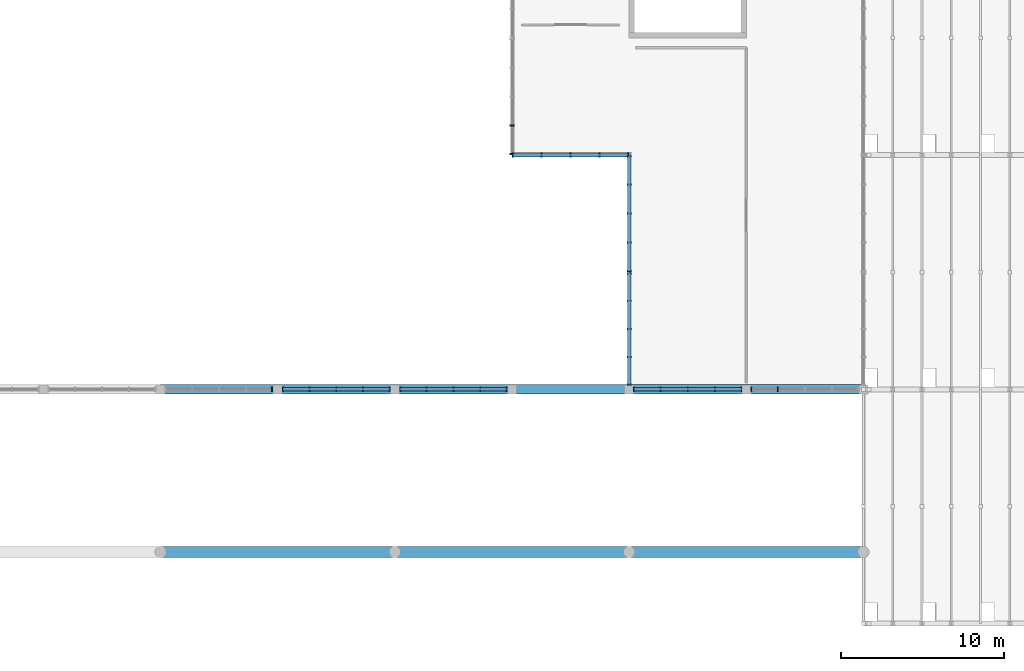
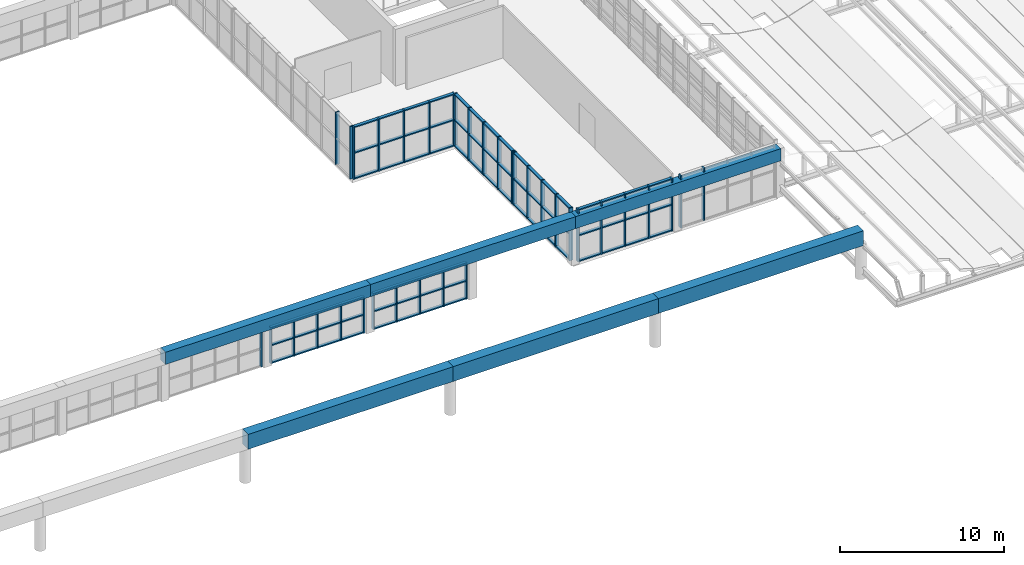
# One storey, part 12 of 83: 53 members, 6 beams, 9 elements without a shape of their own.
"""IFC4 building model written with IfcOpenShell, lengths in metres."""

import ifcopenshell
import ifcopenshell.guid

model = None  # the IFC model being written
_history = None  # IfcOwnerHistory: only IFC2X3 demands one
_inside = {}  # id of a spatial element -> (the spatial element, [elements in it])
_under = {}  # id of a project, library or spatial element -> (it, [spatial elements below it])
_declared = {}  # id of a project -> (the project, [libraries it declares])
_typed = {}  # id of a type object -> (the type object, [elements of that type])
_made_of = {}  # id of a material, layer set ... -> (it, [elements and type objects made of it])


def new_model(schema):
    """Start an empty IFC model of exactly this schema.

    Asked for "IFC4X3", IfcOpenShell would pick the latest addendum, in which some entities
    have other attributes; the version numbers below select the first issue.
    IFC2X3 requires an IfcOwnerHistory on every rooted entity: one is made here for all.
    """
    global model, _history
    if schema == "IFC4X3":
        model = ifcopenshell.file(schema_version=(4, 3, 0, 0))
    else:
        model = ifcopenshell.file(schema=schema)
    _inside.clear()
    _under.clear()
    _declared.clear()
    _typed.clear()
    _made_of.clear()
    _history = None
    if model.schema == "IFC2X3":
        org = make("IfcOrganization", Name="unknown")
        user = make(
            "IfcPersonAndOrganization",
            ThePerson=make("IfcPerson", FamilyName="unknown"),
            TheOrganization=org,
        )
        app = make(
            "IfcApplication",
            ApplicationDeveloper=org,
            Version="unknown",
            ApplicationFullName="unknown",
            ApplicationIdentifier="unknown",
        )
        _history = make(
            "IfcOwnerHistory",
            OwningUser=user,
            OwningApplication=app,
            ChangeAction="ADDED",
            CreationDate=0,
        )
    return model


def make(cls, **values):
    """One entity of the class cls with the attributes given. An attribute that is None is left unset."""
    return model.create_entity(
        cls, **{name: value for name, value in values.items() if value is not None}
    )


def rooted(cls, **values):
    """An entity with a GlobalId (a new one), such as an element, a storey or a relation."""
    return make(cls, GlobalId=ifcopenshell.guid.new(), OwnerHistory=_history, **values)


def si_unit(unit_type, name, prefix=None):
    """IfcSIUnit, for example si_unit("LENGTHUNIT", "METRE", prefix="MILLI")."""
    return make("IfcSIUnit", UnitType=unit_type, Prefix=prefix, Name=name)


def assignment(units):
    """IfcUnitAssignment: the units of a project."""
    return None if units is None else make("IfcUnitAssignment", Units=units)


def point(xyz):
    """IfcCartesianPoint."""
    return None if xyz is None else make("IfcCartesianPoint", Coordinates=xyz)


def direction(xyz):
    """IfcDirection."""
    return None if xyz is None else make("IfcDirection", DirectionRatios=xyz)


def frame(location, z_axis=None, x_axis=None):
    """IfcAxis2Placement3D, a coordinate frame: its origin and axes. An axis left out is left unset."""
    return make(
        "IfcAxis2Placement3D",
        Location=point(location),
        Axis=direction(z_axis),
        RefDirection=direction(x_axis),
    )


def frame_2d(location, x_axis=None):
    """IfcAxis2Placement2D, a coordinate frame in the plane: its origin and x axis."""
    return make(
        "IfcAxis2Placement2D", Location=point(location), RefDirection=direction(x_axis)
    )


def origin():
    """The frame at (0, 0, 0) with its axes left unset."""
    return frame((0.0, 0.0, 0.0))


def origin_2d():
    """The frame at (0, 0) in the plane with its x axis left unset."""
    return frame_2d((0.0, 0.0))


def place(relative_to, where):
    """IfcLocalPlacement: puts the frame where relative to a parent placement (None: the world)."""
    return make(
        "IfcLocalPlacement", PlacementRelTo=relative_to, RelativePlacement=where
    )


def context(
    kind, dimensions, precision=None, world=None, true_north=None, identifier=None
):
    """IfcGeometricRepresentationContext, for example the 3D "Model" context."""
    return make(
        "IfcGeometricRepresentationContext",
        ContextIdentifier=identifier,
        ContextType=kind,
        CoordinateSpaceDimension=dimensions,
        Precision=precision,
        WorldCoordinateSystem=world,
        TrueNorth=true_north,
    )


def subcontext(parent, identifier, kind, view, scale=None):
    """IfcGeometricRepresentationSubContext, for example "Body" below "Model"."""
    return make(
        "IfcGeometricRepresentationSubContext",
        ContextIdentifier=identifier,
        ContextType=kind,
        ParentContext=parent,
        TargetScale=scale,
        TargetView=view,
    )


def project(units=None, contexts=None):
    """IfcProject with its units and contexts."""
    return rooted(
        "IfcProject",
        Name="project",
        RepresentationContexts=contexts,
        UnitsInContext=assignment(units),
    )


def spatial(cls, under=None, at=None, **own):
    """A site, building, storey or space (cls), placed at a placement, below another one or the project."""
    s = rooted(cls, ObjectPlacement=at, **own)
    if under is not None:
        _under.setdefault(under.id(), (under, []))[1].append(s)
    return s


def profile(cls, at=None, kind="AREA", **sizes):
    """A parametric profile (cls). Its sizes go by their IFC names, for example OverallWidth=200.0."""
    return make(cls, ProfileType=kind, Position=at, **sizes)


def rectangle(**sizes):
    """IfcRectangleProfileDef."""
    return profile("IfcRectangleProfileDef", **sizes)


def extrude(swept, where, along, depth):
    """IfcExtrudedAreaSolid: the profile swept, set in the frame where, extruded along a direction by depth."""
    return make(
        "IfcExtrudedAreaSolid",
        SweptArea=swept,
        Position=where,
        ExtrudedDirection=direction(along),
        Depth=depth,
    )


def shape(context_of_items, identifier, shape_type, items):
    """IfcShapeRepresentation: the items that make up one representation, for example the "Body"."""
    return make(
        "IfcShapeRepresentation",
        ContextOfItems=context_of_items,
        RepresentationIdentifier=identifier,
        RepresentationType=shape_type,
        Items=items,
    )


def material(Name=None, Category=None):
    """IfcMaterial."""
    return make("IfcMaterial", Name=Name, Category=Category)


def material_profile(
    of_material, cross_section, Name=None, Category=None, Priority=None
):
    """IfcMaterialProfile: a cross section and its material."""
    return make(
        "IfcMaterialProfile",
        Name=Name,
        Material=of_material,
        Profile=cross_section,
        Priority=Priority,
        Category=Category,
    )


def profile_set(profiles, Name=None, composite=None):
    """IfcMaterialProfileSet."""
    return make(
        "IfcMaterialProfileSet",
        Name=Name,
        MaterialProfiles=profiles,
        CompositeProfile=composite,
    )


def made_of(thing, what):
    """Note that an element or type object is made of a material, layer set ...; save() writes the relation."""
    if what is not None:
        _made_of.setdefault(what.id(), (what, []))[1].append(thing)
    return thing


def type_object(cls, material=None, **own):
    """A type object (cls), such as IfcWallType, which elements share."""
    return made_of(rooted(cls, **own), material)


def element(
    cls,
    number,
    at=None,
    inside=None,
    cuts=None,
    type_object=None,
    material=None,
    context=None,
    identifier="Body",
    shape_type=None,
    held_by="IfcProductDefinitionShape",
    body=None,
    shapes=None,
    **own,
):
    """One element of the class cls, such as IfcWall. Its Tag is "e" and its number.

    at: its placement. inside: the storey or other place that contains it. cuts: it is an
    opening in that element (IfcRelVoidsElement). A single representation is given by context,
    identifier, shape_type and body (its items); several are given by shapes. held_by: the class
    of the entity that holds the representations. save() writes the other relations.
    """
    e = rooted(cls, Tag="e%d" % number, ObjectPlacement=at, **own)
    if body is not None:
        shapes = [shape(context, identifier, shape_type, body)]
    if shapes is not None:
        e.Representation = make(held_by, Representations=shapes)
    if inside is not None:
        _inside.setdefault(inside.id(), (inside, []))[1].append(e)
    if cuts is not None:
        rooted(
            "IfcRelVoidsElement", RelatingBuildingElement=cuts, RelatedOpeningElement=e
        )
    if type_object is not None:
        _typed.setdefault(type_object.id(), (type_object, []))[1].append(e)
    return made_of(e, material)


def aggregate(whole, parts):
    """IfcRelAggregates: a whole, such as a stair, and the parts it consists of."""
    return rooted("IfcRelAggregates", RelatingObject=whole, RelatedObjects=parts)


def save(model, path):
    """Write the relations noted so far, then the file.

    IfcRelAggregates (storeys below a building ...), IfcRelContainedInSpatialStructure (elements
    in a storey), IfcRelDefinesByType, IfcRelAssociatesMaterial and IfcRelDeclares: one each for
    every whole, place, type object, material and project.
    """
    for whole, parts in _under.values():
        aggregate(whole, parts)
    for where, things in _inside.values():
        rooted(
            "IfcRelContainedInSpatialStructure",
            RelatedElements=things,
            RelatingStructure=where,
        )
    for kind, things in _typed.values():
        rooted("IfcRelDefinesByType", RelatedObjects=things, RelatingType=kind)
    for what, things in _made_of.values():
        rooted("IfcRelAssociatesMaterial", RelatedObjects=things, RelatingMaterial=what)
    for by, libraries in _declared.values():
        rooted("IfcRelDeclares", RelatingContext=by, RelatedDefinitions=libraries)
    model.write(path)


model = new_model("IFC4")

# Units and contexts
model_context = context("Model", 3, precision=1e-05, world=origin(), true_north=direction((0.0, 1.0)))
body_context = subcontext(model_context, "Body", "Model", "MODEL_VIEW")
ifc_project = project(units=[si_unit("LENGTHUNIT", "METRE"), si_unit("AREAUNIT", "SQUARE_METRE"), si_unit("VOLUMEUNIT", "CUBIC_METRE"), si_unit("PLANEANGLEUNIT", "RADIAN"), si_unit("MASSUNIT", "GRAM", prefix="KILO")], contexts=[model_context])

# Site, building, storey
site_placement = place(None, origin())
site = spatial("IfcSite", under=ifc_project, at=site_placement, CompositionType="ELEMENT")
building_placement = place(site_placement, origin())
building = spatial("IfcBuilding", under=site, at=building_placement, Name="Leyfeld Transit Interchange", CompositionType="ELEMENT")
storey_placement = place(building_placement, frame((0.0, 0.0, 5.39990234375)))
storey = spatial("IfcBuildingStorey", under=building, at=storey_placement, Name="L01", CompositionType="ELEMENT", Elevation=5.39990234375)

# Beams
ifc_material_1 = material(Name="Concrete C40/50", Category="concrete")
ifc_material_profile_1 = material_profile(ifc_material_1, rectangle(XDim=0.699951171875, YDim=1.10009765625, at=origin_2d()), Name="RC 1100x700")
ifc_profile_set_1 = profile_set([ifc_material_profile_1], Name="Concrete C40/50")
beam_type_1 = type_object("IfcBeamType", Name="BM-RC-1100x700", PredefinedType="SPANDREL", material=ifc_profile_set_1)
for number, where, z_axis, x_axis, name in (
    (1, (57.60009765625, 4.39990234375, 3.050048828125), (1.0, 0.0, 0.0), (0.0, 1.0, 0.0), "Concourse Vault Edge Beam S Bay 5"),
    (2, (72.0, 4.39990234375, 3.050048828125), (1.0, 0.0, 0.0), (0.0, 1.0, 0.0), "Concourse Vault Edge Beam S Bay 6"),
):
    element("IfcBeam", number, at=place(storey_placement, frame(where, z_axis=z_axis, x_axis=x_axis)), inside=storey, type_object=beam_type_1, Name=name, PredefinedType="SPANDREL", context=body_context, shape_type="SweptSolid", body=[
        extrude(rectangle(XDim=0.699951171875, YDim=1.10009765625, at=origin_2d()), origin(), (0.0, 0.0, 1.0), 14.39990234375),
    ])
beam_1_placement = place(storey_placement, frame((86.39990234375, 4.39990234375, 3.050048828125), z_axis=(1.0, 0.0, 0.0), x_axis=(0.0, 1.0, 0.0)))
element("IfcBeam", 3, at=beam_1_placement, inside=storey, type_object=beam_type_1, Name="Concourse Vault Edge Beam S Bay 7", PredefinedType="SPANDREL", context=body_context, shape_type="SweptSolid", body=[
    extrude(rectangle(XDim=0.699951171875, YDim=1.10009765625, at=origin_2d()), origin(), (0.0, 0.0, 1.0), 14.400146484375),
])
ifc_material_2 = material(Name="Concrete C35/45", Category="concrete")
ifc_material_profile_2 = material_profile(ifc_material_2, rectangle(XDim=0.60009765625, YDim=0.89990234375, at=origin_2d()), Name="RC 900x600")
ifc_profile_set_2 = profile_set([ifc_material_profile_2], Name="Concrete C35/45")
beam_type_2 = type_object("IfcBeamType", Name="BM-RC-900x600", PredefinedType="JOIST", material=ifc_profile_set_2)
for number, where, z_axis, x_axis, name in (
    (4, (57.60009765625, 14.39990234375, 3.150146484375), (1.0, 0.0, 0.0), (0.0, 1.0, 0.0), "Concourse Hall Flank Beam HS Bay 5"),
    (5, (72.0, 14.39990234375, 3.150146484375), (1.0, 0.0, 0.0), (0.0, 1.0, 0.0), "Concourse Hall Flank Beam HS Bay 6"),
):
    element("IfcBeam", number, at=place(storey_placement, frame(where, z_axis=z_axis, x_axis=x_axis)), inside=storey, type_object=beam_type_2, Name=name, PredefinedType="JOIST", context=body_context, shape_type="SweptSolid", body=[
        extrude(rectangle(XDim=0.60009765625, YDim=0.89990234375, at=origin_2d()), origin(), (0.0, 0.0, 1.0), 14.39990234375),
    ])
beam_2_placement = place(storey_placement, frame((86.39990234375, 14.39990234375, 3.150146484375), z_axis=(1.0, 0.0, 0.0), x_axis=(0.0, 1.0, 0.0)))
element("IfcBeam", 6, at=beam_2_placement, inside=storey, type_object=beam_type_2, Name="Concourse Hall Flank Beam HS Bay 7", PredefinedType="JOIST", context=body_context, shape_type="SweptSolid", body=[
    extrude(rectangle(XDim=0.60009765625, YDim=0.89990234375, at=origin_2d()), origin(), (0.0, 0.0, 1.0), 14.400146484375),
])

# Curtain wall, members
ifc_material_3 = material(Name="Anodised aluminium EN AW-6060 T66", Category="aluminium")
curtain_wall_type = type_object("IfcCurtainWallType", Name="CW-SYS-ARC-7200", PredefinedType="NOTDEFINED", material=ifc_material_3)
curtain_wall_1_placement = place(storey_placement, origin())
curtain_wall_1 = element("IfcCurtainWall", 7, at=curtain_wall_1_placement, inside=storey, type_object=curtain_wall_type, Name="Curtain Wall CW-L01-073", PredefinedType="NOTDEFINED")
ifc_material_profile_3 = material_profile(ifc_material_3, rectangle(XDim=0.0849609375, YDim=0.260009765625, at=origin_2d()), Name="CW-M 85x260")
ifc_profile_set_3 = profile_set([ifc_material_profile_3], Name="Anodised aluminium EN AW-6060 T66")
member_type_1 = type_object("IfcMemberType", Name="CW-MUL-220x80", PredefinedType="MULLION", material=ifc_profile_set_3)
member_1_placement = place(storey_placement, frame((86.39990234375, 14.70751953125, 0.0), z_axis=(0.0, 0.0, 1.0), x_axis=(0.0, 1.0, 0.0)))
member_1 = element("IfcMember", 8, at=member_1_placement, type_object=member_type_1, Name="Curtain Mullion CW-L01-073-M01", PredefinedType="MULLION", context=body_context, shape_type="SweptSolid", body=[
    extrude(rectangle(XDim=0.0849609375, YDim=0.260009765625, at=origin_2d()), origin(), (0.0, 0.0, 1.0), 3.900146484375),
])
member_2_placement = place(storey_placement, frame((86.39990234375, 16.391357421875, 0.0), z_axis=(0.0, 0.0, 1.0), x_axis=(0.0, 1.0, 0.0)))
member_2 = element("IfcMember", 9, at=member_2_placement, type_object=member_type_1, Name="Curtain Mullion CW-L01-073-M02", PredefinedType="MULLION", context=body_context, shape_type="SweptSolid", body=[
    extrude(rectangle(XDim=0.0849609375, YDim=0.260009765625, at=origin_2d()), origin(), (0.0, 0.0, 1.0), 3.900146484375),
])
member_3_placement = place(storey_placement, frame((86.39990234375, 18.117431640625, 0.0), z_axis=(0.0, 0.0, 1.0), x_axis=(0.0, 1.0, 0.0)))
member_3 = element("IfcMember", 10, at=member_3_placement, type_object=member_type_1, Name="Curtain Mullion CW-L01-073-M03", PredefinedType="MULLION", context=body_context, shape_type="SweptSolid", body=[
    extrude(rectangle(XDim=0.0849609375, YDim=0.260009765625, at=origin_2d()), origin(), (0.0, 0.0, 1.0), 3.900146484375),
])
member_4_placement = place(storey_placement, frame((86.39990234375, 19.84375, 0.0), z_axis=(0.0, 0.0, 1.0), x_axis=(0.0, 1.0, 0.0)))
member_4 = element("IfcMember", 11, at=member_4_placement, type_object=member_type_1, Name="Curtain Mullion CW-L01-073-M04", PredefinedType="MULLION", context=body_context, shape_type="SweptSolid", body=[
    extrude(rectangle(XDim=0.0849609375, YDim=0.260009765625, at=origin_2d()), origin(), (0.0, 0.0, 1.0), 3.900146484375),
])
member_5_placement = place(storey_placement, frame((86.39990234375, 21.527587890625, 0.0), z_axis=(0.0, 0.0, 1.0), x_axis=(0.0, 1.0, 0.0)))
member_5 = element("IfcMember", 12, at=member_5_placement, type_object=member_type_1, Name="Curtain Mullion CW-L01-073-M05", PredefinedType="MULLION", context=body_context, shape_type="SweptSolid", body=[
    extrude(rectangle(XDim=0.0849609375, YDim=0.260009765625, at=origin_2d()), origin(), (0.0, 0.0, 1.0), 3.900146484375),
])

curtain_wall_2_placement = place(storey_placement, origin())
curtain_wall_2 = element("IfcCurtainWall", 13, at=curtain_wall_2_placement, inside=storey, type_object=curtain_wall_type, Name="Curtain Wall CW-L01-074", PredefinedType="NOTDEFINED")
member_6_placement = place(storey_placement, frame((86.39990234375, 21.672607421875, 0.0), z_axis=(0.0, 0.0, 1.0), x_axis=(0.0, 1.0, 0.0)))
member_6 = element("IfcMember", 14, at=member_6_placement, type_object=member_type_1, Name="Curtain Mullion CW-L01-074-M01", PredefinedType="MULLION", context=body_context, shape_type="SweptSolid", body=[
    extrude(rectangle(XDim=0.0849609375, YDim=0.260009765625, at=origin_2d()), origin(), (0.0, 0.0, 1.0), 3.900146484375),
])
member_7_placement = place(storey_placement, frame((86.39990234375, 23.4150390625, 0.0), z_axis=(0.0, 0.0, 1.0), x_axis=(0.0, 1.0, 0.0)))
member_7 = element("IfcMember", 15, at=member_7_placement, type_object=member_type_1, Name="Curtain Mullion CW-L01-074-M02", PredefinedType="MULLION", context=body_context, shape_type="SweptSolid", body=[
    extrude(rectangle(XDim=0.0849609375, YDim=0.260009765625, at=origin_2d()), origin(), (0.0, 0.0, 1.0), 3.900146484375),
])
member_8_placement = place(storey_placement, frame((86.39990234375, 25.199951171875, 0.0), z_axis=(0.0, 0.0, 1.0), x_axis=(0.0, 1.0, 0.0)))
member_8 = element("IfcMember", 16, at=member_8_placement, type_object=member_type_1, Name="Curtain Mullion CW-L01-074-M03", PredefinedType="MULLION", context=body_context, shape_type="SweptSolid", body=[
    extrude(rectangle(XDim=0.0849609375, YDim=0.260009765625, at=origin_2d()), origin(), (0.0, 0.0, 1.0), 3.900146484375),
])
member_9_placement = place(storey_placement, frame((86.39990234375, 26.985107421875, 0.0), z_axis=(0.0, 0.0, 1.0), x_axis=(0.0, 1.0, 0.0)))
member_9 = element("IfcMember", 17, at=member_9_placement, type_object=member_type_1, Name="Curtain Mullion CW-L01-074-M04", PredefinedType="MULLION", context=body_context, shape_type="SweptSolid", body=[
    extrude(rectangle(XDim=0.0849609375, YDim=0.260009765625, at=origin_2d()), origin(), (0.0, 0.0, 1.0), 3.900146484375),
])
member_10_placement = place(storey_placement, frame((86.39990234375, 28.7275390625, 0.0), z_axis=(0.0, 0.0, 1.0), x_axis=(0.0, 1.0, 0.0)))
member_10 = element("IfcMember", 18, at=member_10_placement, type_object=member_type_1, Name="Curtain Mullion CW-L01-074-M05", PredefinedType="MULLION", context=body_context, shape_type="SweptSolid", body=[
    extrude(rectangle(XDim=0.0849609375, YDim=0.260009765625, at=origin_2d()), origin(), (0.0, 0.0, 1.0), 3.900146484375),
])

curtain_wall_3_placement = place(storey_placement, origin())
curtain_wall_3 = element("IfcCurtainWall", 19, at=curtain_wall_3_placement, inside=storey, type_object=curtain_wall_type, Name="Curtain Wall CW-L01-075", PredefinedType="NOTDEFINED")
member_11_placement = place(storey_placement, frame((86.327392578125, 28.800048828125, 0.0), z_axis=(0.0, 0.0, 1.0), x_axis=(-1.0, 0.0, 0.0)))
member_11 = element("IfcMember", 20, at=member_11_placement, type_object=member_type_1, Name="Curtain Mullion CW-L01-075-M01", PredefinedType="MULLION", context=body_context, shape_type="SweptSolid", body=[
    extrude(rectangle(XDim=0.0849609375, YDim=0.260009765625, at=origin_2d()), origin(), (0.0, 0.0, 1.0), 3.900146484375),
])
member_12_placement = place(storey_placement, frame((84.5849609375, 28.800048828125, 0.0), z_axis=(0.0, 0.0, 1.0), x_axis=(-1.0, 0.0, 0.0)))
member_12 = element("IfcMember", 21, at=member_12_placement, type_object=member_type_1, Name="Curtain Mullion CW-L01-075-M02", PredefinedType="MULLION", context=body_context, shape_type="SweptSolid", body=[
    extrude(rectangle(XDim=0.0849609375, YDim=0.260009765625, at=origin_2d()), origin(), (0.0, 0.0, 1.0), 3.900146484375),
])
member_13_placement = place(storey_placement, frame((82.800048828125, 28.800048828125, 0.0), z_axis=(0.0, 0.0, 1.0), x_axis=(-1.0, 0.0, 0.0)))
member_13 = element("IfcMember", 22, at=member_13_placement, type_object=member_type_1, Name="Curtain Mullion CW-L01-075-M03", PredefinedType="MULLION", context=body_context, shape_type="SweptSolid", body=[
    extrude(rectangle(XDim=0.0849609375, YDim=0.260009765625, at=origin_2d()), origin(), (0.0, 0.0, 1.0), 3.900146484375),
])
member_14_placement = place(storey_placement, frame((81.014892578125, 28.800048828125, 0.0), z_axis=(0.0, 0.0, 1.0), x_axis=(-1.0, 0.0, 0.0)))
member_14 = element("IfcMember", 23, at=member_14_placement, type_object=member_type_1, Name="Curtain Mullion CW-L01-075-M04", PredefinedType="MULLION", context=body_context, shape_type="SweptSolid", body=[
    extrude(rectangle(XDim=0.0849609375, YDim=0.260009765625, at=origin_2d()), origin(), (0.0, 0.0, 1.0), 3.900146484375),
])
member_15_placement = place(storey_placement, frame((79.2724609375, 28.800048828125, 0.0), z_axis=(0.0, 0.0, 1.0), x_axis=(-1.0, 0.0, 0.0)))
member_15 = element("IfcMember", 24, at=member_15_placement, type_object=member_type_1, Name="Curtain Mullion CW-L01-075-M05", PredefinedType="MULLION", context=body_context, shape_type="SweptSolid", body=[
    extrude(rectangle(XDim=0.0849609375, YDim=0.260009765625, at=origin_2d()), origin(), (0.0, 0.0, 1.0), 3.900146484375),
])

curtain_wall_4_placement = place(storey_placement, origin())
curtain_wall_4 = element("IfcCurtainWall", 25, at=curtain_wall_4_placement, inside=storey, type_object=curtain_wall_type, Name="Curtain Wall CW-L01-076", PredefinedType="NOTDEFINED")
member_16_placement = place(storey_placement, frame((79.199951171875, 28.87255859375, 0.0), z_axis=(0.0, 0.0, 1.0), x_axis=(0.0, 1.0, 0.0)))
member_16 = element("IfcMember", 26, at=member_16_placement, type_object=member_type_1, Name="Curtain Mullion CW-L01-076-M01", PredefinedType="MULLION", context=body_context, shape_type="SweptSolid", body=[
    extrude(rectangle(XDim=0.0849609375, YDim=0.260009765625, at=origin_2d()), origin(), (0.0, 0.0, 1.0), 3.900146484375),
])
member_17_placement = place(storey_placement, frame((79.199951171875, 30.614990234375, 0.0), z_axis=(0.0, 0.0, 1.0), x_axis=(0.0, 1.0, 0.0)))
member_17 = element("IfcMember", 27, at=member_17_placement, type_object=member_type_1, Name="Curtain Mullion CW-L01-076-M02", PredefinedType="MULLION", context=body_context, shape_type="SweptSolid", body=[
    extrude(rectangle(XDim=0.0849609375, YDim=0.260009765625, at=origin_2d()), origin(), (0.0, 0.0, 1.0), 3.900146484375),
])
aggregate(curtain_wall_4, [member_16, member_17])

curtain_wall_5_placement = place(storey_placement, origin())
curtain_wall_5 = element("IfcCurtainWall", 28, at=curtain_wall_5_placement, inside=storey, type_object=curtain_wall_type, Name="Curtain Wall CW-L01-086", PredefinedType="NOTDEFINED")
member_18_placement = place(storey_placement, frame((95.532470703125, 14.39990234375, 0.0), z_axis=(0.0, 0.0, 1.0), x_axis=(-1.0, 0.0, 0.0)))
member_18 = element("IfcMember", 29, at=member_18_placement, type_object=member_type_1, Name="Curtain Mullion CW-L01-086-M04", PredefinedType="MULLION", context=body_context, shape_type="SweptSolid", body=[
    extrude(rectangle(XDim=0.0849609375, YDim=0.260009765625, at=origin_2d()), origin(), (0.0, 0.0, 1.0), 3.900146484375),
])
member_19_placement = place(storey_placement, frame((93.907470703125, 14.39990234375, 0.0), z_axis=(0.0, 0.0, 1.0), x_axis=(-1.0, 0.0, 0.0)))
member_19 = element("IfcMember", 30, at=member_19_placement, type_object=member_type_1, Name="Curtain Mullion CW-L01-086-M05", PredefinedType="MULLION", context=body_context, shape_type="SweptSolid", body=[
    extrude(rectangle(XDim=0.0849609375, YDim=0.260009765625, at=origin_2d()), origin(), (0.0, 0.0, 1.0), 3.900146484375),
])
aggregate(curtain_wall_5, [member_18, member_19])

curtain_wall_6_placement = place(storey_placement, origin())
curtain_wall_6 = element("IfcCurtainWall", 31, at=curtain_wall_6_placement, inside=storey, type_object=curtain_wall_type, Name="Curtain Wall CW-L01-087", PredefinedType="NOTDEFINED")
member_20_placement = place(storey_placement, frame((93.29248046875, 14.39990234375, 0.0), z_axis=(0.0, 0.0, 1.0), x_axis=(-1.0, 0.0, 0.0)))
member_20 = element("IfcMember", 32, at=member_20_placement, type_object=member_type_1, Name="Curtain Mullion CW-L01-087-M01", PredefinedType="MULLION", context=body_context, shape_type="SweptSolid", body=[
    extrude(rectangle(XDim=0.0849609375, YDim=0.260009765625, at=origin_2d()), origin(), (0.0, 0.0, 1.0), 3.900146484375),
])
member_21_placement = place(storey_placement, frame((91.66748046875, 14.39990234375, 0.0), z_axis=(0.0, 0.0, 1.0), x_axis=(-1.0, 0.0, 0.0)))
member_21 = element("IfcMember", 33, at=member_21_placement, type_object=member_type_1, Name="Curtain Mullion CW-L01-087-M02", PredefinedType="MULLION", context=body_context, shape_type="SweptSolid", body=[
    extrude(rectangle(XDim=0.0849609375, YDim=0.260009765625, at=origin_2d()), origin(), (0.0, 0.0, 1.0), 3.900146484375),
])
member_22_placement = place(storey_placement, frame((90.0, 14.39990234375, 0.0), z_axis=(0.0, 0.0, 1.0), x_axis=(-1.0, 0.0, 0.0)))
member_22 = element("IfcMember", 34, at=member_22_placement, type_object=member_type_1, Name="Curtain Mullion CW-L01-087-M03", PredefinedType="MULLION", context=body_context, shape_type="SweptSolid", body=[
    extrude(rectangle(XDim=0.0849609375, YDim=0.260009765625, at=origin_2d()), origin(), (0.0, 0.0, 1.0), 3.900146484375),
])
member_23_placement = place(storey_placement, frame((88.33251953125, 14.39990234375, 0.0), z_axis=(0.0, 0.0, 1.0), x_axis=(-1.0, 0.0, 0.0)))
member_23 = element("IfcMember", 35, at=member_23_placement, type_object=member_type_1, Name="Curtain Mullion CW-L01-087-M04", PredefinedType="MULLION", context=body_context, shape_type="SweptSolid", body=[
    extrude(rectangle(XDim=0.0849609375, YDim=0.260009765625, at=origin_2d()), origin(), (0.0, 0.0, 1.0), 3.900146484375),
])
member_24_placement = place(storey_placement, frame((86.70751953125, 14.39990234375, 0.0), z_axis=(0.0, 0.0, 1.0), x_axis=(-1.0, 0.0, 0.0)))
member_24 = element("IfcMember", 36, at=member_24_placement, type_object=member_type_1, Name="Curtain Mullion CW-L01-087-M05", PredefinedType="MULLION", context=body_context, shape_type="SweptSolid", body=[
    extrude(rectangle(XDim=0.0849609375, YDim=0.260009765625, at=origin_2d()), origin(), (0.0, 0.0, 1.0), 3.900146484375),
])

# Curtain wall, member
curtain_wall_7_placement = place(storey_placement, origin())
curtain_wall_7 = element("IfcCurtainWall", 37, at=curtain_wall_7_placement, inside=storey, type_object=curtain_wall_type, Name="Curtain Wall CW-L01-CLR-157", PredefinedType="NOTDEFINED")
member_25_placement = place(storey_placement, frame((64.45751953125, 14.39990234375, 0.0), z_axis=(0.0, 0.0, 1.0), x_axis=(1.0, 0.0, 0.0)))
member_25 = element("IfcMember", 38, at=member_25_placement, type_object=member_type_1, Name="Curtain Mullion CW-L01-CLR-157-M05", PredefinedType="MULLION", context=body_context, shape_type="SweptSolid", body=[
    extrude(rectangle(XDim=0.0849609375, YDim=0.260009765625, at=origin_2d()), origin(), (0.0, 0.0, 1.0), 2.7001953125),
])
aggregate(curtain_wall_7, [member_25])

# Curtain wall, members
curtain_wall_8_placement = place(storey_placement, origin())
curtain_wall_8 = element("IfcCurtainWall", 39, at=curtain_wall_8_placement, inside=storey, type_object=curtain_wall_type, Name="Curtain Wall CW-L01-CLR-158", PredefinedType="NOTDEFINED")
member_26_placement = place(storey_placement, frame((65.142578125, 14.39990234375, 0.0), z_axis=(0.0, 0.0, 1.0), x_axis=(1.0, 0.0, 0.0)))
member_26 = element("IfcMember", 40, at=member_26_placement, type_object=member_type_1, Name="Curtain Mullion CW-L01-CLR-158-M01", PredefinedType="MULLION", context=body_context, shape_type="SweptSolid", body=[
    extrude(rectangle(XDim=0.0849609375, YDim=0.260009765625, at=origin_2d()), origin(), (0.0, 0.0, 1.0), 2.7001953125),
])
member_27_placement = place(storey_placement, frame((66.75, 14.39990234375, 0.0), z_axis=(0.0, 0.0, 1.0), x_axis=(1.0, 0.0, 0.0)))
member_27 = element("IfcMember", 41, at=member_27_placement, type_object=member_type_1, Name="Curtain Mullion CW-L01-CLR-158-M02", PredefinedType="MULLION", context=body_context, shape_type="SweptSolid", body=[
    extrude(rectangle(XDim=0.0849609375, YDim=0.260009765625, at=origin_2d()), origin(), (0.0, 0.0, 1.0), 2.7001953125),
])
member_28_placement = place(storey_placement, frame((68.39990234375, 14.39990234375, 0.0), z_axis=(0.0, 0.0, 1.0), x_axis=(1.0, 0.0, 0.0)))
member_28 = element("IfcMember", 42, at=member_28_placement, type_object=member_type_1, Name="Curtain Mullion CW-L01-CLR-158-M03", PredefinedType="MULLION", context=body_context, shape_type="SweptSolid", body=[
    extrude(rectangle(XDim=0.0849609375, YDim=0.260009765625, at=origin_2d()), origin(), (0.0, 0.0, 1.0), 2.7001953125),
])
member_29_placement = place(storey_placement, frame((70.050048828125, 14.39990234375, 0.0), z_axis=(0.0, 0.0, 1.0), x_axis=(1.0, 0.0, 0.0)))
member_29 = element("IfcMember", 43, at=member_29_placement, type_object=member_type_1, Name="Curtain Mullion CW-L01-CLR-158-M04", PredefinedType="MULLION", context=body_context, shape_type="SweptSolid", body=[
    extrude(rectangle(XDim=0.0849609375, YDim=0.260009765625, at=origin_2d()), origin(), (0.0, 0.0, 1.0), 2.7001953125),
])
member_30_placement = place(storey_placement, frame((71.657470703125, 14.39990234375, 0.0), z_axis=(0.0, 0.0, 1.0), x_axis=(1.0, 0.0, 0.0)))
member_30 = element("IfcMember", 44, at=member_30_placement, type_object=member_type_1, Name="Curtain Mullion CW-L01-CLR-158-M05", PredefinedType="MULLION", context=body_context, shape_type="SweptSolid", body=[
    extrude(rectangle(XDim=0.0849609375, YDim=0.260009765625, at=origin_2d()), origin(), (0.0, 0.0, 1.0), 2.7001953125),
])

curtain_wall_9_placement = place(storey_placement, origin())
curtain_wall_9 = element("IfcCurtainWall", 45, at=curtain_wall_9_placement, inside=storey, type_object=curtain_wall_type, Name="Curtain Wall CW-L01-CLR-159", PredefinedType="NOTDEFINED")
member_31_placement = place(storey_placement, frame((72.342529296875, 14.39990234375, 0.0), z_axis=(0.0, 0.0, 1.0), x_axis=(1.0, 0.0, 0.0)))
member_31 = element("IfcMember", 46, at=member_31_placement, type_object=member_type_1, Name="Curtain Mullion CW-L01-CLR-159-M01", PredefinedType="MULLION", context=body_context, shape_type="SweptSolid", body=[
    extrude(rectangle(XDim=0.0849609375, YDim=0.260009765625, at=origin_2d()), origin(), (0.0, 0.0, 1.0), 2.7001953125),
])
member_32_placement = place(storey_placement, frame((73.949951171875, 14.39990234375, 0.0), z_axis=(0.0, 0.0, 1.0), x_axis=(1.0, 0.0, 0.0)))
member_32 = element("IfcMember", 47, at=member_32_placement, type_object=member_type_1, Name="Curtain Mullion CW-L01-CLR-159-M02", PredefinedType="MULLION", context=body_context, shape_type="SweptSolid", body=[
    extrude(rectangle(XDim=0.0849609375, YDim=0.260009765625, at=origin_2d()), origin(), (0.0, 0.0, 1.0), 2.7001953125),
])
member_33_placement = place(storey_placement, frame((75.60009765625, 14.39990234375, 0.0), z_axis=(0.0, 0.0, 1.0), x_axis=(1.0, 0.0, 0.0)))
member_33 = element("IfcMember", 48, at=member_33_placement, type_object=member_type_1, Name="Curtain Mullion CW-L01-CLR-159-M03", PredefinedType="MULLION", context=body_context, shape_type="SweptSolid", body=[
    extrude(rectangle(XDim=0.0849609375, YDim=0.260009765625, at=origin_2d()), origin(), (0.0, 0.0, 1.0), 2.7001953125),
])
member_34_placement = place(storey_placement, frame((77.25, 14.39990234375, 0.0), z_axis=(0.0, 0.0, 1.0), x_axis=(1.0, 0.0, 0.0)))
member_34 = element("IfcMember", 49, at=member_34_placement, type_object=member_type_1, Name="Curtain Mullion CW-L01-CLR-159-M04", PredefinedType="MULLION", context=body_context, shape_type="SweptSolid", body=[
    extrude(rectangle(XDim=0.0849609375, YDim=0.260009765625, at=origin_2d()), origin(), (0.0, 0.0, 1.0), 2.7001953125),
])
member_35_placement = place(storey_placement, frame((78.857421875, 14.39990234375, 0.0), z_axis=(0.0, 0.0, 1.0), x_axis=(1.0, 0.0, 0.0)))
member_35 = element("IfcMember", 50, at=member_35_placement, type_object=member_type_1, Name="Curtain Mullion CW-L01-CLR-159-M05", PredefinedType="MULLION", context=body_context, shape_type="SweptSolid", body=[
    extrude(rectangle(XDim=0.0849609375, YDim=0.260009765625, at=origin_2d()), origin(), (0.0, 0.0, 1.0), 2.7001953125),
])

# Member
ifc_material_profile_4 = material_profile(ifc_material_3, rectangle(XDim=0.2099609375, YDim=0.0849609375, at=origin_2d()), Name="CW-TRN-200x80")
ifc_profile_set_4 = profile_set([ifc_material_profile_4], Name="Anodised aluminium EN AW-6060 T66")
member_type_2 = type_object("IfcMemberType", Name="CW-TRN-200x80", PredefinedType="USERDEFINED", material=ifc_profile_set_4)
member_36_placement = place(storey_placement, frame((86.39990234375, 14.6650390625, 0.04248046875), z_axis=(0.0, 1.0, 0.0), x_axis=(-1.0, 0.0, 0.0)))
member_36 = element("IfcMember", 51, at=member_36_placement, type_object=member_type_2, Name="Curtain Transom CW-L01-073-T01", ObjectType="TRANSOM", PredefinedType="USERDEFINED", context=body_context, shape_type="SweptSolid", body=[
    extrude(rectangle(XDim=0.2099609375, YDim=0.0849609375, at=origin_2d()), origin(), (0.0, 0.0, 1.0), 6.905029296875),
])

member_37_placement = place(storey_placement, frame((86.39990234375, 14.6650390625, 1.9501953125), z_axis=(0.0, 1.0, 0.0), x_axis=(-1.0, 0.0, 0.0)))
member_37 = element("IfcMember", 52, at=member_37_placement, type_object=member_type_2, Name="Curtain Transom CW-L01-073-T02", ObjectType="TRANSOM", PredefinedType="USERDEFINED", context=body_context, shape_type="SweptSolid", body=[
    extrude(rectangle(XDim=0.2099609375, YDim=0.0849609375, at=origin_2d()), origin(), (0.0, 0.0, 1.0), 6.905029296875),
])

member_38_placement = place(storey_placement, frame((86.39990234375, 14.6650390625, 3.857666015625), z_axis=(0.0, 1.0, 0.0), x_axis=(-1.0, 0.0, 0.0)))
member_38 = element("IfcMember", 53, at=member_38_placement, type_object=member_type_2, Name="Curtain Transom CW-L01-073-T03", ObjectType="TRANSOM", PredefinedType="USERDEFINED", context=body_context, shape_type="SweptSolid", body=[
    extrude(rectangle(XDim=0.2099609375, YDim=0.0849609375, at=origin_2d()), origin(), (0.0, 0.0, 1.0), 6.905029296875),
])

aggregate(curtain_wall_1, [member_1, member_2, member_3, member_4, member_5, member_36, member_37, member_38])

member_39_placement = place(storey_placement, frame((86.39990234375, 21.6298828125, 0.04248046875), z_axis=(0.0, 1.0, 0.0), x_axis=(-1.0, 0.0, 0.0)))
member_39 = element("IfcMember", 54, at=member_39_placement, type_object=member_type_2, Name="Curtain Transom CW-L01-074-T01", ObjectType="TRANSOM", PredefinedType="USERDEFINED", context=body_context, shape_type="SweptSolid", body=[
    extrude(rectangle(XDim=0.2099609375, YDim=0.0849609375, at=origin_2d()), origin(), (0.0, 0.0, 1.0), 7.14013671875),
])

member_40_placement = place(storey_placement, frame((86.39990234375, 21.6298828125, 1.9501953125), z_axis=(0.0, 1.0, 0.0), x_axis=(-1.0, 0.0, 0.0)))
member_40 = element("IfcMember", 55, at=member_40_placement, type_object=member_type_2, Name="Curtain Transom CW-L01-074-T02", ObjectType="TRANSOM", PredefinedType="USERDEFINED", context=body_context, shape_type="SweptSolid", body=[
    extrude(rectangle(XDim=0.2099609375, YDim=0.0849609375, at=origin_2d()), origin(), (0.0, 0.0, 1.0), 7.14013671875),
])

member_41_placement = place(storey_placement, frame((86.39990234375, 21.6298828125, 3.857666015625), z_axis=(0.0, 1.0, 0.0), x_axis=(-1.0, 0.0, 0.0)))
member_41 = element("IfcMember", 56, at=member_41_placement, type_object=member_type_2, Name="Curtain Transom CW-L01-074-T03", ObjectType="TRANSOM", PredefinedType="USERDEFINED", context=body_context, shape_type="SweptSolid", body=[
    extrude(rectangle(XDim=0.2099609375, YDim=0.0849609375, at=origin_2d()), origin(), (0.0, 0.0, 1.0), 7.14013671875),
])

aggregate(curtain_wall_2, [member_6, member_7, member_8, member_9, member_10, member_39, member_40, member_41])

member_42_placement = place(storey_placement, frame((86.3701171875, 28.800048828125, 0.04248046875), z_axis=(-1.0, 0.0, 0.0), x_axis=(0.0, -1.0, 0.0)))
member_42 = element("IfcMember", 57, at=member_42_placement, type_object=member_type_2, Name="Curtain Transom CW-L01-075-T01", ObjectType="TRANSOM", PredefinedType="USERDEFINED", context=body_context, shape_type="SweptSolid", body=[
    extrude(rectangle(XDim=0.2099609375, YDim=0.0849609375, at=origin_2d()), origin(), (0.0, 0.0, 1.0), 7.14013671875),
])

member_43_placement = place(storey_placement, frame((86.3701171875, 28.800048828125, 1.9501953125), z_axis=(-1.0, 0.0, 0.0), x_axis=(0.0, -1.0, 0.0)))
member_43 = element("IfcMember", 58, at=member_43_placement, type_object=member_type_2, Name="Curtain Transom CW-L01-075-T02", ObjectType="TRANSOM", PredefinedType="USERDEFINED", context=body_context, shape_type="SweptSolid", body=[
    extrude(rectangle(XDim=0.2099609375, YDim=0.0849609375, at=origin_2d()), origin(), (0.0, 0.0, 1.0), 7.14013671875),
])

member_44_placement = place(storey_placement, frame((86.3701171875, 28.800048828125, 3.857666015625), z_axis=(-1.0, 0.0, 0.0), x_axis=(0.0, -1.0, 0.0)))
member_44 = element("IfcMember", 59, at=member_44_placement, type_object=member_type_2, Name="Curtain Transom CW-L01-075-T03", ObjectType="TRANSOM", PredefinedType="USERDEFINED", context=body_context, shape_type="SweptSolid", body=[
    extrude(rectangle(XDim=0.2099609375, YDim=0.0849609375, at=origin_2d()), origin(), (0.0, 0.0, 1.0), 7.14013671875),
])

aggregate(curtain_wall_3, [member_11, member_12, member_13, member_14, member_15, member_42, member_43, member_44])

member_45_placement = place(storey_placement, frame((93.3349609375, 14.39990234375, 0.04248046875), z_axis=(-1.0, 0.0, 0.0), x_axis=(0.0, -1.0, 0.0)))
member_45 = element("IfcMember", 60, at=member_45_placement, type_object=member_type_2, Name="Curtain Transom CW-L01-087-T01", ObjectType="TRANSOM", PredefinedType="USERDEFINED", context=body_context, shape_type="SweptSolid", body=[
    extrude(rectangle(XDim=0.2099609375, YDim=0.0849609375, at=origin_2d()), origin(), (0.0, 0.0, 1.0), 6.669921875),
])

member_46_placement = place(storey_placement, frame((93.3349609375, 14.39990234375, 1.9501953125), z_axis=(-1.0, 0.0, 0.0), x_axis=(0.0, -1.0, 0.0)))
member_46 = element("IfcMember", 61, at=member_46_placement, type_object=member_type_2, Name="Curtain Transom CW-L01-087-T02", ObjectType="TRANSOM", PredefinedType="USERDEFINED", context=body_context, shape_type="SweptSolid", body=[
    extrude(rectangle(XDim=0.2099609375, YDim=0.0849609375, at=origin_2d()), origin(), (0.0, 0.0, 1.0), 6.669921875),
])

member_47_placement = place(storey_placement, frame((93.3349609375, 14.39990234375, 3.857666015625), z_axis=(-1.0, 0.0, 0.0), x_axis=(0.0, -1.0, 0.0)))
member_47 = element("IfcMember", 62, at=member_47_placement, type_object=member_type_2, Name="Curtain Transom CW-L01-087-T03", ObjectType="TRANSOM", PredefinedType="USERDEFINED", context=body_context, shape_type="SweptSolid", body=[
    extrude(rectangle(XDim=0.2099609375, YDim=0.0849609375, at=origin_2d()), origin(), (0.0, 0.0, 1.0), 6.669921875),
])

aggregate(curtain_wall_6, [member_20, member_21, member_22, member_23, member_24, member_45, member_46, member_47])

member_48_placement = place(storey_placement, frame((65.10009765625, 14.39990234375, 0.04248046875), z_axis=(1.0, 0.0, 0.0), x_axis=(0.0, 1.0, 0.0)))
member_48 = element("IfcMember", 63, at=member_48_placement, type_object=member_type_2, Name="Curtain Transom CW-L01-CLR-158-T01", ObjectType="TRANSOM", PredefinedType="USERDEFINED", context=body_context, shape_type="SweptSolid", body=[
    extrude(rectangle(XDim=0.2099609375, YDim=0.0849609375, at=origin_2d()), origin(), (0.0, 0.0, 1.0), 6.599853515625),
])

member_49_placement = place(storey_placement, frame((65.10009765625, 14.39990234375, 1.35009765625), z_axis=(1.0, 0.0, 0.0), x_axis=(0.0, 1.0, 0.0)))
member_49 = element("IfcMember", 64, at=member_49_placement, type_object=member_type_2, Name="Curtain Transom CW-L01-CLR-158-T02", ObjectType="TRANSOM", PredefinedType="USERDEFINED", context=body_context, shape_type="SweptSolid", body=[
    extrude(rectangle(XDim=0.2099609375, YDim=0.0849609375, at=origin_2d()), origin(), (0.0, 0.0, 1.0), 6.599853515625),
])

member_50_placement = place(storey_placement, frame((65.10009765625, 14.39990234375, 2.65771484375), z_axis=(1.0, 0.0, 0.0), x_axis=(0.0, 1.0, 0.0)))
member_50 = element("IfcMember", 65, at=member_50_placement, type_object=member_type_2, Name="Curtain Transom CW-L01-CLR-158-T03", ObjectType="TRANSOM", PredefinedType="USERDEFINED", context=body_context, shape_type="SweptSolid", body=[
    extrude(rectangle(XDim=0.2099609375, YDim=0.0849609375, at=origin_2d()), origin(), (0.0, 0.0, 1.0), 6.599853515625),
])

aggregate(curtain_wall_8, [member_26, member_27, member_28, member_29, member_30, member_48, member_49, member_50])

member_51_placement = place(storey_placement, frame((72.300048828125, 14.39990234375, 0.04248046875), z_axis=(1.0, 0.0, 0.0), x_axis=(0.0, 1.0, 0.0)))
member_51 = element("IfcMember", 66, at=member_51_placement, type_object=member_type_2, Name="Curtain Transom CW-L01-CLR-159-T01", ObjectType="TRANSOM", PredefinedType="USERDEFINED", context=body_context, shape_type="SweptSolid", body=[
    extrude(rectangle(XDim=0.2099609375, YDim=0.0849609375, at=origin_2d()), origin(), (0.0, 0.0, 1.0), 6.599853515625),
])

member_52_placement = place(storey_placement, frame((72.300048828125, 14.39990234375, 1.35009765625), z_axis=(1.0, 0.0, 0.0), x_axis=(0.0, 1.0, 0.0)))
member_52 = element("IfcMember", 67, at=member_52_placement, type_object=member_type_2, Name="Curtain Transom CW-L01-CLR-159-T02", ObjectType="TRANSOM", PredefinedType="USERDEFINED", context=body_context, shape_type="SweptSolid", body=[
    extrude(rectangle(XDim=0.2099609375, YDim=0.0849609375, at=origin_2d()), origin(), (0.0, 0.0, 1.0), 6.599853515625),
])

member_53_placement = place(storey_placement, frame((72.300048828125, 14.39990234375, 2.65771484375), z_axis=(1.0, 0.0, 0.0), x_axis=(0.0, 1.0, 0.0)))
member_53 = element("IfcMember", 68, at=member_53_placement, type_object=member_type_2, Name="Curtain Transom CW-L01-CLR-159-T03", ObjectType="TRANSOM", PredefinedType="USERDEFINED", context=body_context, shape_type="SweptSolid", body=[
    extrude(rectangle(XDim=0.2099609375, YDim=0.0849609375, at=origin_2d()), origin(), (0.0, 0.0, 1.0), 6.599853515625),
])

aggregate(curtain_wall_9, [member_31, member_32, member_33, member_34, member_35, member_51, member_52, member_53])

save(model, "model.ifc")
